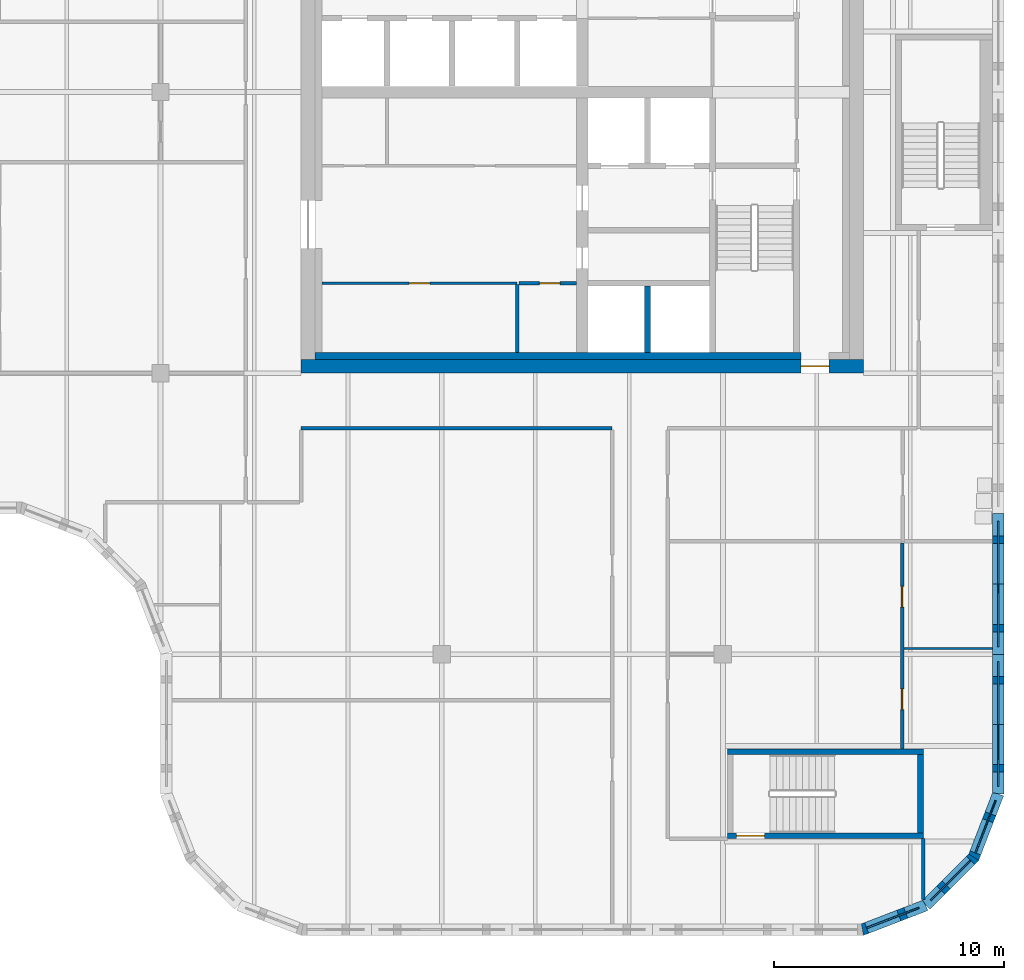
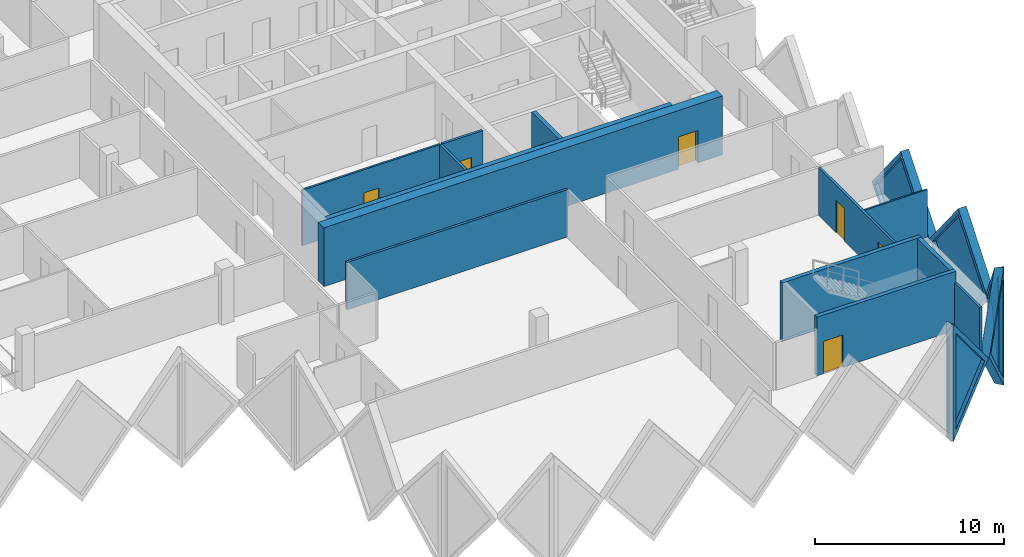
# One storey, part 5 of 12: 18 walls, 6 doors, 5 plates, 11 openings.
"""IFC4 building model written with IfcOpenShell, lengths in metres."""

from ifc_helpers import new_model, si_unit, direction, frame, frame_2d, origin, place, context, subcontext, project, spatial, polyline, rectangle, outline, extrude, faceted_brep, source, transform, mapped, material, layer, layer_set, type_object, element, fill, save


model = new_model("IFC4")

# Units and contexts
model_context = context("Model", 3, precision=1e-05, world=origin(), true_north=direction((0.0, 1.0)))
body_context = subcontext(model_context, "Body", "Model", "MODEL_VIEW")
ifc_project = project(units=[si_unit("LENGTHUNIT", "METRE"), si_unit("AREAUNIT", "SQUARE_METRE"), si_unit("VOLUMEUNIT", "CUBIC_METRE"), si_unit("PLANEANGLEUNIT", "RADIAN"), si_unit("MASSUNIT", "GRAM", prefix="KILO")], contexts=[model_context])

# Site, building, storey
site_placement = place(None, origin())
site = spatial("IfcSite", under=ifc_project, at=site_placement, CompositionType="ELEMENT")
building_placement = place(site_placement, origin())
building = spatial("IfcBuilding", under=site, at=building_placement, Name="Tessera Gate Towers", CompositionType="ELEMENT")
storey_placement = place(building_placement, frame((0.0, 0.0, 178.199951171875)))
storey = spatial("IfcBuildingStorey", under=building, at=storey_placement, Name="L44", CompositionType="ELEMENT", Elevation=178.199951171875)

# Wall
ifc_material_1 = material(Name="Concrete C40/50", Category="concrete")
ifc_layer_1 = layer(ifc_material_1, 0.25)
ifc_layer_set_1 = layer_set([ifc_layer_1], Name="CORE ENCLOSURE WALL 250")
wall_type_1 = type_object("IfcWallType", Name="CORE ENCLOSURE WALL 250", PredefinedType="SOLIDWALL", material=ifc_layer_set_1)
wall_1_placement = place(storey_placement, frame((45.52490234375, 25.300048828125, 0.0), z_axis=(0.0, 0.0, 1.0), x_axis=(0.0, 1.0, 0.0)))
element("IfcWall", 1, at=wall_1_placement, inside=storey, type_object=wall_type_1, Name="L44 shaft and stair enclosure wall", PredefinedType="SOLIDWALL", context=body_context, shape_type="SweptSolid", body=[
    extrude(rectangle(XDim=2.875, YDim=0.25, at=frame_2d((1.4375, 0.0))), origin(), (0.0, 0.0, 1.0), 3.800048828125),
])

# Wall, opening, door
wall_2_placement = place(storey_placement, frame((57.5, 4.324951171875, 0.0), z_axis=(0.0, 0.0, 1.0), x_axis=(-1.0, 0.0, 0.0)))
wall_2 = element("IfcWall", 2, at=wall_2_placement, inside=storey, type_object=wall_type_1, Name="L44 ST4 enclosure wall", PredefinedType="SOLIDWALL", context=body_context, shape_type="SweptSolid", body=[
    extrude(rectangle(XDim=8.5, YDim=0.25, at=frame_2d((4.25, 0.0))), origin(), (0.0, 0.0, 1.0), 3.800048828125),
])
shared_shape_1 = source(origin(), body_context, "Body", "SweptSolid", [
    extrude(rectangle(XDim=1.199951171875, YDim=2.10009765625, at=frame_2d((0.60009765625, 1.050048828125))), frame((0.0, 0.135009765625, 0.0), z_axis=(0.0, -1.0, 0.0), x_axis=(1.0, 0.0, 0.0)), (0.0, 0.0, 1.0), 0.27001953125),
])
opening_1_placement = place(wall_2_placement, frame((6.89990234375, 0.0, 0.0)))
opening_1 = element("IfcOpeningElement", 3, at=opening_1_placement, cuts=wall_2, Name="Opening SD-ST4-1", PredefinedType="OPENING", context=body_context, shape_type="MappedRepresentation", body=[
    mapped(shared_shape_1, transform((0.0, 0.0, 0.0), scale=1.0)),
])
ifc_material_2 = material(Name="Hollow steel fire door", Category="steel")
door_type_1 = type_object("IfcDoorType", Name="CORE DOOR SD 1200x2100", OperationType="NOTDEFINED", PredefinedType="DOOR", material=ifc_material_2)
shared_shape_2 = source(origin(), body_context, "Body", "SweptSolid", [
    extrude(rectangle(XDim=1.199951171875, YDim=2.10009765625, at=frame_2d((0.60009765625, 1.050048828125))), frame((0.0, 0.02490234375, 0.0), z_axis=(0.0, -1.0, 0.0), x_axis=(1.0, 0.0, 0.0)), (0.0, 0.0, 1.0), 0.050048828125),
])
door_1_placement = place(opening_1_placement, origin())
door_1 = element("IfcDoor", 4, at=door_1_placement, inside=storey, type_object=door_type_1, Name="Stair door", OperationType="SINGLE_SWING_RIGHT", OverallHeight=2.10009765625, OverallWidth=1.199951171875, PredefinedType="DOOR", context=body_context, shape_type="MappedRepresentation", body=[
    mapped(shared_shape_2, transform((0.0, 0.0, 0.0), scale=1.0)),
])
fill(opening_1, door_1)

# Walls
wall_3_placement = place(storey_placement, frame((49.0, 7.97509765625, 0.0), z_axis=(0.0, 0.0, 1.0), x_axis=(1.0, 0.0, 0.0)))
element("IfcWall", 5, at=wall_3_placement, inside=storey, type_object=wall_type_1, Name="L44 ST4 enclosure wall", PredefinedType="SOLIDWALL", context=body_context, shape_type="SweptSolid", body=[
    extrude(rectangle(XDim=8.5, YDim=0.25, at=frame_2d((4.25, 0.0))), origin(), (0.0, 0.0, 1.0), 3.800048828125),
])
wall_4_placement = place(storey_placement, frame((57.375, 7.85009765625, 0.0), z_axis=(0.0, 0.0, 1.0), x_axis=(0.0, -1.0, 0.0)))
element("IfcWall", 6, at=wall_4_placement, inside=storey, type_object=wall_type_1, Name="L44 ST4 enclosure wall", PredefinedType="SOLIDWALL", context=body_context, shape_type="SweptSolid", body=[
    extrude(rectangle(XDim=3.400146484375, YDim=0.25, at=frame_2d((1.7001953125, 0.0))), origin(), (0.0, 0.0, 1.0), 3.800048828125),
])

# Wall, opening, door
ifc_material_3 = material(Name="Gypsum board on steel studs", Category="steel")
ifc_layer_2 = layer(ifc_material_3, 0.1201171875)
ifc_layer_set_2 = layer_set([ifc_layer_2], Name="CORE PARTITION 120")
wall_type_2 = type_object("IfcWallType", Name="CORE PARTITION 120", PredefinedType="PARTITIONING", material=ifc_layer_set_2)
wall_5_placement = place(storey_placement, frame((39.875, 28.300048828125, 0.0), z_axis=(0.0, 0.0, 1.0), x_axis=(-1.0, 0.0, 0.0)))
wall_5 = element("IfcWall", 7, at=wall_5_placement, inside=storey, type_object=wall_type_2, Name="L44 core partition", PredefinedType="PARTITIONING", context=body_context, shape_type="SweptSolid", body=[
    extrude(rectangle(XDim=8.47509765625, YDim=0.1201171875, at=frame_2d((4.237548828125, 0.0))), origin(), (0.0, 0.0, 1.0), 3.60009765625),
])
shared_shape_3 = source(origin(), body_context, "Body", "SweptSolid", [
    extrude(rectangle(XDim=0.89990234375, YDim=2.10009765625, at=frame_2d((0.449951171875, 1.050048828125))), frame((0.0, 0.070068359375, 0.0), z_axis=(0.0, -1.0, 0.0), x_axis=(1.0, 0.0, 0.0)), (0.0, 0.0, 1.0), 0.14013671875),
])
opening_2_placement = place(wall_5_placement, frame((3.78759765625, 0.0, 0.0)))
opening_2 = element("IfcOpeningElement", 8, at=opening_2_placement, cuts=wall_5, Name="Opening RD-T1-28-09", PredefinedType="OPENING", context=body_context, shape_type="MappedRepresentation", body=[
    mapped(shared_shape_3, transform((0.0, 0.0, 0.0), scale=1.0)),
])
ifc_material_4 = material(Name="Hollow steel fire door", Category="steel")
door_type_2 = type_object("IfcDoorType", Name="CORE DOOR RD 900x2100", OperationType="NOTDEFINED", PredefinedType="DOOR", material=ifc_material_4)
shared_shape_4 = source(origin(), body_context, "Body", "SweptSolid", [
    extrude(rectangle(XDim=0.89990234375, YDim=2.10009765625, at=frame_2d((0.449951171875, 1.050048828125))), frame((0.0, 0.02490234375, 0.0), z_axis=(0.0, -1.0, 0.0), x_axis=(1.0, 0.0, 0.0)), (0.0, 0.0, 1.0), 0.050048828125),
])
door_2_placement = place(opening_2_placement, origin())
door_2 = element("IfcDoor", 9, at=door_2_placement, inside=storey, type_object=door_type_2, Name="Core room door", OperationType="SINGLE_SWING_RIGHT", OverallHeight=2.10009765625, OverallWidth=0.89990234375, PredefinedType="DOOR", context=body_context, shape_type="MappedRepresentation", body=[
    mapped(shared_shape_4, transform((0.0, 0.0, 0.0), scale=1.0)),
])
fill(opening_2, door_2)

ifc_material_5 = material(Name="Concrete C50/60", Category="concrete")
ifc_layer_3 = layer(ifc_material_5, 0.60009765625)
ifc_layer_set_3 = layer_set([ifc_layer_3], Name="CORE SHEAR WALL 600 C50/60")
wall_type_3 = type_object("IfcWallType", Name="CORE SHEAR WALL 600 C50/60", PredefinedType="SHEAR", material=ifc_layer_set_3)
wall_6_placement = place(storey_placement, frame((54.89990234375, 24.699951171875, 0.0), z_axis=(0.0, 0.0, 1.0), x_axis=(-1.0, 0.0, 0.0)))
wall_6 = element("IfcWall", 10, at=wall_6_placement, inside=storey, type_object=wall_type_3, Name="Core wall S L44", PredefinedType="SHEAR", context=body_context, shape_type="SweptSolid", body=[
    extrude(rectangle(XDim=24.39990234375, YDim=0.60009765625, at=frame_2d((12.199951171875, 0.0))), origin(), (0.0, 0.0, 1.0), 3.800048828125),
])
shared_shape_5 = source(origin(), body_context, "Body", "SweptSolid", [
    extrude(rectangle(XDim=1.199951171875, YDim=2.10009765625, at=frame_2d((0.60009765625, 1.050048828125))), frame((0.0, 0.31005859375, 0.0), z_axis=(0.0, -1.0, 0.0), x_axis=(1.0, 0.0, 0.0)), (0.0, 0.0, 1.0), 0.6201171875),
])
opening_3_placement = place(wall_6_placement, frame((1.5, 0.0, 0.0)))
opening_3 = element("IfcOpeningElement", 11, at=opening_3_placement, cuts=wall_6, Name="Opening ED-T1-28-01", PredefinedType="OPENING", context=body_context, shape_type="MappedRepresentation", body=[
    mapped(shared_shape_5, transform((0.0, 0.0, 0.0), scale=1.0)),
])
ifc_material_6 = material(Name="Hollow steel fire door", Category="steel")
door_type_3 = type_object("IfcDoorType", Name="CORE DOOR ED 1200x2100", OperationType="NOTDEFINED", PredefinedType="DOOR", material=ifc_material_6)
door_3_placement = place(opening_3_placement, origin())
door_3 = element("IfcDoor", 12, at=door_3_placement, inside=storey, type_object=door_type_3, Name="Core exit door", OperationType="SINGLE_SWING_LEFT", OverallHeight=2.10009765625, OverallWidth=1.199951171875, PredefinedType="DOOR", context=body_context, shape_type="MappedRepresentation", body=[
    mapped(shared_shape_2, transform((0.0, 0.0, 0.0), scale=1.0)),
])
fill(opening_3, door_3)

# Walls
ifc_material_7 = material(Name="Concrete C50/60", Category="concrete")
ifc_layer_4 = layer(ifc_material_7, 0.300048828125)
ifc_layer_set_4 = layer_set([ifc_layer_4], Name="CORE WALL THICKENING 300")
wall_type_4 = type_object("IfcWallType", Name="CORE WALL THICKENING 300", PredefinedType="SOLIDWALL", material=ifc_layer_set_4)
wall_7_placement = place(storey_placement, frame((31.10009765625, 25.14990234375, 0.0), z_axis=(0.0, 0.0, 1.0), x_axis=(1.0, 0.0, 0.0)))
element("IfcWall", 13, at=wall_7_placement, inside=storey, type_object=wall_type_4, Name="Core wall thickening S L44", PredefinedType="SOLIDWALL", context=body_context, shape_type="SweptSolid", body=[
    extrude(rectangle(XDim=21.099853515625, YDim=0.300048828125, at=frame_2d((10.5498046875, 0.0))), origin(), (0.0, 0.0, 1.0), 3.800048828125),
])
ifc_material_8 = material(Name="Gypsum board on steel studs, mineral wool", Category="steel")
ifc_layer_5 = layer(ifc_material_8, 0.14990234375)
ifc_layer_set_5 = layer_set([ifc_layer_5], Name="CORRIDOR WALL 150")
wall_type_5 = type_object("IfcWallType", Name="CORRIDOR WALL 150", PredefinedType="PARTITIONING", material=ifc_layer_set_5)
wall_8_placement = place(storey_placement, frame((57.5, 1.55908203125, 0.0), z_axis=(0.0, 0.0, 1.0), x_axis=(0.0, 1.0, 0.0)))
element("IfcWall", 14, at=wall_8_placement, inside=storey, type_object=wall_type_5, Name="T1-L44-PW-002", PredefinedType="PARTITIONING", context=body_context, shape_type="SweptSolid", body=[
    extrude(rectangle(XDim=2.640869140625, YDim=0.14990234375, at=frame_2d((1.3203125, 0.0))), origin(), (0.0, 0.0, 1.0), 3.067138671875),
])
wall_9_placement = place(storey_placement, frame((30.5, 22.0, 0.0), z_axis=(0.0, 0.0, 1.0), x_axis=(1.0, 0.0, 0.0)))
element("IfcWall", 15, at=wall_9_placement, inside=storey, type_object=wall_type_5, Name="T1-L44-PW-020", PredefinedType="PARTITIONING", context=body_context, shape_type="SweptSolid", body=[
    extrude(rectangle(XDim=13.5, YDim=0.14990234375, at=frame_2d((6.75, 0.0))), origin(), (0.0, 0.0, 1.0), 3.067138671875),
])
ifc_material_9 = material(Name="Gypsum board on steel studs", Category="steel")
ifc_layer_6 = layer(ifc_material_9, 0.10009765625)
ifc_layer_set_6 = layer_set([ifc_layer_6], Name="PARTITION 100")
wall_type_6 = type_object("IfcWallType", Name="PARTITION 100", PredefinedType="PARTITIONING", material=ifc_layer_set_6)
wall_10_placement = place(storey_placement, frame((56.65087890625, 12.447998046875, 0.0), z_axis=(0.0, 0.0, 1.0), x_axis=(1.0, 0.0, 0.0)))
element("IfcWall", 16, at=wall_10_placement, inside=storey, type_object=wall_type_6, Name="T1-L44-PW-009", PredefinedType="PARTITIONING", context=body_context, shape_type="SweptSolid", body=[
    extrude(rectangle(XDim=3.84912109375, YDim=0.10009765625, at=frame_2d((1.924560546875, 0.0))), origin(), (0.0, 0.0, 1.0), 3.067138671875),
])
ifc_material_10 = material(Name="Gypsum board on steel studs", Category="steel")
ifc_layer_7 = layer(ifc_material_10, 0.14990234375)
ifc_layer_set_7 = layer_set([ifc_layer_7], Name="SERVICE ROOM WALL 150")
wall_type_7 = type_object("IfcWallType", Name="SERVICE ROOM WALL 150", PredefinedType="PARTITIONING", material=ifc_layer_set_7)
wall_11_placement = place(storey_placement, frame((39.875, 25.300048828125, 0.0), z_axis=(0.0, 0.0, 1.0), x_axis=(0.0, 1.0, 0.0)))
element("IfcWall", 17, at=wall_11_placement, inside=storey, type_object=wall_type_7, Name="L44 service room wall", PredefinedType="PARTITIONING", context=body_context, shape_type="SweptSolid", body=[
    extrude(rectangle(XDim=2.93994140625, YDim=0.14990234375, at=frame_2d((1.469970703125, 0.0))), origin(), (0.0, 0.0, 1.0), 3.60009765625),
])

# Wall, opening, door
wall_12_placement = place(storey_placement, frame((42.449951171875, 28.300048828125, 0.0), z_axis=(0.0, 0.0, 1.0), x_axis=(-1.0, 0.0, 0.0)))
wall_12 = element("IfcWall", 18, at=wall_12_placement, inside=storey, type_object=wall_type_7, Name="L44 service room wall", PredefinedType="PARTITIONING", context=body_context, shape_type="SweptSolid", body=[
    extrude(rectangle(XDim=2.5, YDim=0.14990234375, at=frame_2d((1.25, 0.0))), origin(), (0.0, 0.0, 1.0), 3.60009765625),
])
shared_shape_6 = source(origin(), body_context, "Body", "SweptSolid", [
    extrude(rectangle(XDim=0.89990234375, YDim=2.10009765625, at=frame_2d((0.449951171875, 1.050048828125))), frame((0.0, 0.0849609375, 0.0), z_axis=(0.0, -1.0, 0.0), x_axis=(1.0, 0.0, 0.0)), (0.0, 0.0, 1.0), 0.169921875),
])
opening_4_placement = place(wall_12_placement, frame((0.71240234375, 0.0, 0.0)))
opening_4 = element("IfcOpeningElement", 19, at=opening_4_placement, cuts=wall_12, Name="Opening RD-T1-28-14", PredefinedType="OPENING", context=body_context, shape_type="MappedRepresentation", body=[
    mapped(shared_shape_6, transform((0.0, 0.0, 0.0), scale=1.0)),
])
door_4_placement = place(opening_4_placement, origin())
door_4 = element("IfcDoor", 20, at=door_4_placement, inside=storey, type_object=door_type_2, Name="Core room door", OperationType="SINGLE_SWING_LEFT", OverallHeight=2.10009765625, OverallWidth=0.89990234375, PredefinedType="DOOR", context=body_context, shape_type="MappedRepresentation", body=[
    mapped(shared_shape_4, transform((0.0, 0.0, 0.0), scale=1.0)),
])
fill(opening_4, door_4)

# Wall, openings, doors
ifc_material_11 = material(Name="Gypsum board on steel studs, mineral wool", Category="steel")
ifc_layer_8 = layer(ifc_material_11, 0.14990234375)
ifc_layer_set_8 = layer_set([ifc_layer_8], Name="TENANCY WALL 150")
wall_type_8 = type_object("IfcWallType", Name="TENANCY WALL 150", PredefinedType="PARTITIONING", material=ifc_layer_set_8)
wall_13_placement = place(storey_placement, frame((56.574951171875, 17.02392578125, 0.0), z_axis=(0.0, 0.0, 1.0), x_axis=(0.0, -1.0, 0.0)))
wall_13 = element("IfcWall", 21, at=wall_13_placement, inside=storey, type_object=wall_type_8, Name="T1-L44-PW-005", PredefinedType="PARTITIONING", context=body_context, shape_type="SweptSolid", body=[
    extrude(rectangle(XDim=8.923828125, YDim=0.14990234375, at=frame_2d((4.4619140625, 0.0))), origin(), (0.0, 0.0, 1.0), 3.067138671875),
])
opening_5_placement = place(wall_13_placement, frame((6.323974609375, 0.0, 0.0)))
opening_5 = element("IfcOpeningElement", 22, at=opening_5_placement, cuts=wall_13, Name="Opening D190-A16-03", PredefinedType="OPENING", context=body_context, shape_type="MappedRepresentation", body=[
    mapped(shared_shape_6, transform((0.0, 0.0, 0.0), scale=1.0)),
])
opening_6_placement = place(wall_13_placement, frame((1.876220703125, 0.0, 0.0)))
opening_6 = element("IfcOpeningElement", 23, at=opening_6_placement, cuts=wall_13, Name="Opening D190-A16-05", PredefinedType="OPENING", context=body_context, shape_type="MappedRepresentation", body=[
    mapped(shared_shape_6, transform((0.0, 0.0, 0.0), scale=1.0)),
])
ifc_material_12 = material(Name="Timber door leaf in steel frame", Category="steel")
door_type_4 = type_object("IfcDoorType", Name="INTERNAL DOOR 900 NOT RATED", OperationType="NOTDEFINED", PredefinedType="DOOR", material=ifc_material_12)
door_5_placement = place(opening_5_placement, origin())
door_5 = element("IfcDoor", 24, at=door_5_placement, inside=storey, type_object=door_type_4, Name="T1-L44-PD-004", OperationType="SINGLE_SWING_RIGHT", OverallHeight=2.10009765625, OverallWidth=0.89990234375, PredefinedType="DOOR", context=body_context, shape_type="MappedRepresentation", body=[
    mapped(shared_shape_4, transform((0.0, 0.0, 0.0), scale=1.0)),
])
fill(opening_5, door_5)
door_6_placement = place(opening_6_placement, origin())
door_6 = element("IfcDoor", 25, at=door_6_placement, inside=storey, type_object=door_type_4, Name="T1-L44-PD-006", OperationType="SINGLE_SWING_RIGHT", OverallHeight=2.10009765625, OverallWidth=0.89990234375, PredefinedType="DOOR", context=body_context, shape_type="MappedRepresentation", body=[
    mapped(shared_shape_4, transform((0.0, 0.0, 0.0), scale=1.0)),
])
fill(opening_6, door_6)

# Wall, opening, plate
ifc_material_13 = material(Name="Precast concrete C60/75 white", Category="concrete")
ifc_layer_9 = layer(ifc_material_13, 0.5)
ifc_layer_set_9 = layer_set([ifc_layer_9], Name="TS1 tessera")
wall_type_9 = type_object("IfcWallType", Name="TS1 tessera", PredefinedType="SOLIDWALL", material=ifc_layer_set_9)
shared_shape_7 = source(origin(), body_context, "Body", "Brep", [
    faceted_brep([(3.00341796875, -0.25, 0.0), (6.053466796875, -0.25, 3.800048828125), (3.00341796875, -0.25, 7.60009765625), (0.0, -0.25, 3.800048828125), (0.046630859375, 0.25, 3.85888671875), (3.00341796875, 0.25, 7.60009765625), (6.053466796875, 0.25, 3.800048828125), (3.00341796875, 0.25, 0.0), (0.046630859375, 0.25, 3.7412109375), (0.0, 0.0, 3.800048828125)], [[[0, 1, 2, 3]], [[4, 5, 6, 7, 8]], [[7, 6, 1, 0]], [[6, 5, 2, 1]], [[5, 4, 9, 3, 2]], [[8, 7, 0, 3, 9]], [[8, 9, 4]]]),
])
wall_14_placement = place(storey_placement, frame((60.75, 6.146484375, -3.800048828125), z_axis=(0.0, 0.0, 1.0), x_axis=(0.0, 1.0, 0.0)))
wall_14 = element("IfcWall", 26, at=wall_14_placement, inside=storey, type_object=wall_type_9, Name="Precast tessera T1 TS1-0762", PredefinedType="SOLIDWALL", context=body_context, shape_type="MappedRepresentation", body=[
    mapped(shared_shape_7, transform((0.0, 0.0, 0.0), scale=1.0)),
])
shared_shape_8 = source(origin(), body_context, "Body", "SweptSolid", [
    extrude(outline(polyline([(3.0048828125, 0.4013671875), (5.73291015625, 3.800048828125), (3.0048828125, 7.19873046875), (0.318603515625, 3.800048828125), (3.0048828125, 0.4013671875)])), frame((0.0, 0.260009765625, 0.0), z_axis=(0.0, -1.0, 0.0), x_axis=(1.0, 0.0, 0.0)), (0.0, 0.0, 1.0), 0.52001953125),
])
opening_7_placement = place(wall_14_placement, origin())
opening_7 = element("IfcOpeningElement", 27, at=opening_7_placement, cuts=wall_14, Name="Opening T1-PL2-1560", PredefinedType="OPENING", context=body_context, shape_type="MappedRepresentation", body=[
    mapped(shared_shape_8, transform((0.0, 0.0, 0.0), scale=1.0)),
])
ifc_material_14 = material(Name="Low-e laminated glass", Category="glass")
ifc_layer_10 = layer(ifc_material_14, 0.06005859375)
ifc_layer_set_10 = layer_set([ifc_layer_10], Name="PL2 rhombic pane")
plate_type = type_object("IfcPlateType", Name="PL2 rhombic pane", PredefinedType="SHEET", material=ifc_layer_set_10)
shared_shape_9 = source(origin(), body_context, "Body", "SweptSolid", [
    extrude(outline(polyline([(3.0048828125, 0.4013671875), (5.73291015625, 3.800048828125), (3.0048828125, 7.19873046875), (0.318603515625, 3.800048828125), (3.0048828125, 0.4013671875)])), frame((0.0, 0.030029296875, 0.0), z_axis=(0.0, -1.0, 0.0), x_axis=(1.0, 0.0, 0.0)), (0.0, 0.0, 1.0), 0.06005859375),
])
plate_1_placement = place(opening_7_placement, origin())
plate_1 = element("IfcPlate", 28, at=plate_1_placement, inside=storey, type_object=plate_type, Name="Glass pane T1 PL2-1560", PredefinedType="SHEET", context=body_context, shape_type="MappedRepresentation", body=[
    mapped(shared_shape_9, transform((0.0, 0.0, 0.0), scale=1.0)),
])
fill(opening_7, plate_1)

shared_shape_10 = source(origin(), body_context, "Body", "SweptSolid", [
    extrude(outline(polyline([(3.050048828125, 0.0), (6.10009765625, 3.800048828125), (3.050048828125, 7.60009765625), (0.0, 3.800048828125), (3.050048828125, 0.0)])), frame((0.0, 0.25, 0.0), z_axis=(0.0, -1.0, 0.0), x_axis=(1.0, 0.0, 0.0)), (0.0, 0.0, 1.0), 0.5),
])
wall_15_placement = place(storey_placement, frame((60.75, 12.199951171875, -3.800048828125), z_axis=(0.0, 0.0, 1.0), x_axis=(0.0, 1.0, 0.0)))
wall_15 = element("IfcWall", 29, at=wall_15_placement, inside=storey, type_object=wall_type_9, Name="Precast tessera T1 TS1-0763", PredefinedType="SOLIDWALL", context=body_context, shape_type="MappedRepresentation", body=[
    mapped(shared_shape_10, transform((0.0, 0.0, 0.0), scale=1.0)),
])
shared_shape_11 = source(origin(), body_context, "Body", "SweptSolid", [
    extrude(outline(polyline([(3.050048828125, 0.3994140625), (5.779541015625, 3.800048828125), (3.050048828125, 7.20068359375), (0.320556640625, 3.800048828125), (3.050048828125, 0.3994140625)])), frame((0.0, 0.260009765625, 0.0), z_axis=(0.0, -1.0, 0.0), x_axis=(1.0, 0.0, 0.0)), (0.0, 0.0, 1.0), 0.52001953125),
])
opening_8_placement = place(wall_15_placement, origin())
opening_8 = element("IfcOpeningElement", 30, at=opening_8_placement, cuts=wall_15, Name="Opening T1-PL2-1561", PredefinedType="OPENING", context=body_context, shape_type="MappedRepresentation", body=[
    mapped(shared_shape_11, transform((0.0, 0.0, 0.0), scale=1.0)),
])
shared_shape_12 = source(origin(), body_context, "Body", "SweptSolid", [
    extrude(outline(polyline([(3.050048828125, 0.3994140625), (5.779541015625, 3.800048828125), (3.050048828125, 7.20068359375), (0.320556640625, 3.800048828125), (3.050048828125, 0.3994140625)])), frame((0.0, 0.030029296875, 0.0), z_axis=(0.0, -1.0, 0.0), x_axis=(1.0, 0.0, 0.0)), (0.0, 0.0, 1.0), 0.06005859375),
])
plate_2_placement = place(opening_8_placement, origin())
plate_2 = element("IfcPlate", 31, at=plate_2_placement, inside=storey, type_object=plate_type, Name="Glass pane T1 PL2-1561", PredefinedType="SHEET", context=body_context, shape_type="MappedRepresentation", body=[
    mapped(shared_shape_12, transform((0.0, 0.0, 0.0), scale=1.0)),
])
fill(opening_8, plate_2)

ifc_material_15 = material(Name="Precast concrete C60/75 white", Category="concrete")
ifc_layer_11 = layer(ifc_material_15, 0.5)
ifc_layer_set_11 = layer_set([ifc_layer_11], Name="TS3 corner tessera")
wall_type_10 = type_object("IfcWallType", Name="TS3 corner tessera", PredefinedType="SOLIDWALL", material=ifc_layer_set_11)
shared_shape_13 = source(origin(), body_context, "Body", "Brep", [
    faceted_brep([(0.046630859375, -0.25, 0.0), (2.9970703125, -0.25, 3.800048828125), (0.046630859375, -0.25, 7.60009765625), (0.0, -0.25, 7.541259765625), (0.0, -0.25, 0.058837890625), (0.09326171875, 0.25, 7.5400390625), (2.9443359375, 0.25, 3.8681640625), (2.9443359375, 0.25, 3.73193359375), (0.09326171875, 0.25, 0.06005859375), (2.9970703125, 0.00048828125, 3.800048828125), (0.046630859375, 0.0, 0.0), (0.046630859375, 0.0, 7.60009765625)], [[[0, 1, 2, 3, 4]], [[5, 6, 7, 8]], [[8, 7, 9, 1, 0, 10]], [[6, 5, 11, 2, 1, 9]], [[3, 2, 11]], [[10, 0, 4]], [[8, 10, 4, 3, 11, 5]], [[9, 7, 6]]]),
])
wall_16_placement = place(storey_placement, frame((54.81005859375, 0.233154296875, -3.800048828125), z_axis=(0.0, 0.0, 1.0), x_axis=(0.932990326376, 0.359901446078, 0.0)))
wall_16 = element("IfcWall", 32, at=wall_16_placement, inside=storey, type_object=wall_type_10, Name="Precast corner tessera T1 TS3-1012", PredefinedType="SOLIDWALL", context=body_context, shape_type="MappedRepresentation", body=[
    mapped(shared_shape_13, transform((0.0, 0.0, 0.0), scale=1.0)),
])
shared_shape_14 = source(origin(), body_context, "Body", "SweptSolid", [
    extrude(outline(polyline([(0.24658203125, 0.665283203125), (2.6806640625, 3.800048828125), (0.24658203125, 6.934814453125), (0.24658203125, 0.665283203125)])), frame((0.0, 0.260009765625, 0.0), z_axis=(0.0, -1.0, 0.0), x_axis=(1.0, 0.0, 0.0)), (0.0, 0.0, 1.0), 0.52001953125),
])
opening_9_placement = place(wall_16_placement, origin())
opening_9 = element("IfcOpeningElement", 33, at=opening_9_placement, cuts=wall_16, Name="Opening T1-PL2-1557", PredefinedType="OPENING", context=body_context, shape_type="MappedRepresentation", body=[
    mapped(shared_shape_14, transform((0.0, 0.0, 0.0), scale=1.0)),
])
shared_shape_15 = source(origin(), body_context, "Body", "SweptSolid", [
    extrude(outline(polyline([(0.24658203125, 0.665283203125), (2.6806640625, 3.800048828125), (0.24658203125, 6.934814453125), (0.24658203125, 0.665283203125)])), frame((0.0, 0.030029296875, 0.0), z_axis=(0.0, -1.0, 0.0), x_axis=(1.0, 0.0, 0.0)), (0.0, 0.0, 1.0), 0.06005859375),
])
plate_3_placement = place(opening_9_placement, origin())
plate_3 = element("IfcPlate", 34, at=plate_3_placement, inside=storey, type_object=plate_type, Name="Glass pane T1 PL2-1557", PredefinedType="SHEET", context=body_context, shape_type="MappedRepresentation", body=[
    mapped(shared_shape_15, transform((0.0, 0.0, 0.0), scale=1.0)),
])
fill(opening_9, plate_3)

shared_shape_16 = source(origin(), body_context, "Body", "Brep", [
    faceted_brep([(2.944091796875, -0.25, 0.0), (2.9970703125, -0.25, 0.068115234375), (2.9970703125, -0.25, 7.531982421875), (2.944091796875, -0.25, 7.60009765625), (0.0, -0.25, 3.800048828125), (0.052978515625, 0.25, 3.868408203125), (2.89111328125, 0.25, 7.531982421875), (2.89111328125, 0.25, 0.068115234375), (0.052978515625, 0.25, 3.731689453125), (2.944091796875, 0.000244140625, 0.0), (2.944091796875, 0.000244140625, 7.60009765625), (0.0, 0.0, 3.800048828125)], [[[0, 1, 2, 3, 4]], [[5, 6, 7, 8]], [[1, 0, 9]], [[10, 3, 2]], [[6, 5, 11, 4, 3, 10]], [[8, 7, 9, 0, 4, 11]], [[8, 11, 5]], [[1, 9, 7, 6, 10, 2]]]),
])
wall_17_placement = place(storey_placement, frame((57.606201171875, 1.31201171875, -3.800048828125), z_axis=(0.0, 0.0, 1.0), x_axis=(0.707147509625, 0.707066050402, 0.0)))
wall_17 = element("IfcWall", 35, at=wall_17_placement, inside=storey, type_object=wall_type_10, Name="Precast corner tessera T1 TS3-1013", PredefinedType="SOLIDWALL", context=body_context, shape_type="MappedRepresentation", body=[
    mapped(shared_shape_16, transform((0.0, 0.0, 0.0), scale=1.0)),
])
shared_shape_17 = source(origin(), body_context, "Body", "SweptSolid", [
    extrude(outline(polyline([(2.744140625, 6.933837890625), (0.316162109375, 3.800048828125), (2.744140625, 0.66650390625), (2.744140625, 6.933837890625)])), frame((0.0, 0.260009765625, 0.0), z_axis=(0.0, -1.0, 0.0), x_axis=(1.0, 0.0, 0.0)), (0.0, 0.0, 1.0), 0.52001953125),
])
opening_10_placement = place(wall_17_placement, origin())
opening_10 = element("IfcOpeningElement", 36, at=opening_10_placement, cuts=wall_17, Name="Opening T1-PL2-1558", PredefinedType="OPENING", context=body_context, shape_type="MappedRepresentation", body=[
    mapped(shared_shape_17, transform((0.0, 0.0, 0.0), scale=1.0)),
])
shared_shape_18 = source(origin(), body_context, "Body", "SweptSolid", [
    extrude(outline(polyline([(2.744140625, 6.933837890625), (0.316162109375, 3.800048828125), (2.744140625, 0.66650390625), (2.744140625, 6.933837890625)])), frame((0.0, 0.030029296875, 0.0), z_axis=(0.0, -1.0, 0.0), x_axis=(1.0, 0.0, 0.0)), (0.0, 0.0, 1.0), 0.06005859375),
])
plate_4_placement = place(opening_10_placement, origin())
plate_4 = element("IfcPlate", 37, at=plate_4_placement, inside=storey, type_object=plate_type, Name="Glass pane T1 PL2-1558", PredefinedType="SHEET", context=body_context, shape_type="MappedRepresentation", body=[
    mapped(shared_shape_18, transform((0.0, 0.0, 0.0), scale=1.0)),
])
fill(opening_10, plate_4)

shared_shape_19 = source(origin(), body_context, "Body", "Brep", [
    faceted_brep([(0.052978515625, -0.25, 0.0), (3.00341796875, -0.25, 3.800048828125), (0.052978515625, -0.25, 7.60009765625), (0.0, -0.25, 7.53173828125), (0.0, -0.25, 0.068359375), (0.10595703125, 0.25, 7.531982421875), (2.95703125, 0.25, 3.85986328125), (2.95703125, 0.25, 3.740234375), (0.10595703125, 0.25, 0.068115234375), (3.00341796875, 0.00048828125, 3.800048828125), (0.052978515625, 0.0, 0.0), (0.052978515625, 0.0, 7.60009765625)], [[[0, 1, 2, 3, 4]], [[5, 6, 7, 8]], [[8, 7, 9, 1, 0, 10]], [[6, 5, 11, 2, 1, 9]], [[3, 2, 11]], [[10, 0, 4]], [[8, 10, 4, 3, 11, 5]], [[9, 7, 6]]]),
])
wall_18_placement = place(storey_placement, frame((59.6689453125, 3.34423828125, -3.800048828125), z_axis=(0.0, 0.0, 1.0), x_axis=(0.35992665181, 0.932980602862, 0.0)))
wall_18 = element("IfcWall", 38, at=wall_18_placement, inside=storey, type_object=wall_type_10, Name="Precast corner tessera T1 TS3-1014", PredefinedType="SOLIDWALL", context=body_context, shape_type="MappedRepresentation", body=[
    mapped(shared_shape_19, transform((0.0, 0.0, 0.0), scale=1.0)),
])
shared_shape_20 = source(origin(), body_context, "Body", "SweptSolid", [
    extrude(outline(polyline([(0.2529296875, 0.665283203125), (2.68701171875, 3.800048828125), (0.2529296875, 6.934814453125), (0.2529296875, 0.665283203125)])), frame((0.0, 0.260009765625, 0.0), z_axis=(0.0, -1.0, 0.0), x_axis=(1.0, 0.0, 0.0)), (0.0, 0.0, 1.0), 0.52001953125),
])
opening_11_placement = place(wall_18_placement, origin())
opening_11 = element("IfcOpeningElement", 39, at=opening_11_placement, cuts=wall_18, Name="Opening T1-PL2-1559", PredefinedType="OPENING", context=body_context, shape_type="MappedRepresentation", body=[
    mapped(shared_shape_20, transform((0.0, 0.0, 0.0), scale=1.0)),
])
shared_shape_21 = source(origin(), body_context, "Body", "SweptSolid", [
    extrude(outline(polyline([(0.2529296875, 0.665283203125), (2.68701171875, 3.800048828125), (0.2529296875, 6.934814453125), (0.2529296875, 0.665283203125)])), frame((0.0, 0.030029296875, 0.0), z_axis=(0.0, -1.0, 0.0), x_axis=(1.0, 0.0, 0.0)), (0.0, 0.0, 1.0), 0.06005859375),
])
plate_5_placement = place(opening_11_placement, origin())
plate_5 = element("IfcPlate", 40, at=plate_5_placement, inside=storey, type_object=plate_type, Name="Glass pane T1 PL2-1559", PredefinedType="SHEET", context=body_context, shape_type="MappedRepresentation", body=[
    mapped(shared_shape_21, transform((0.0, 0.0, 0.0), scale=1.0)),
])
fill(opening_11, plate_5)

save(model, "model.ifc")
